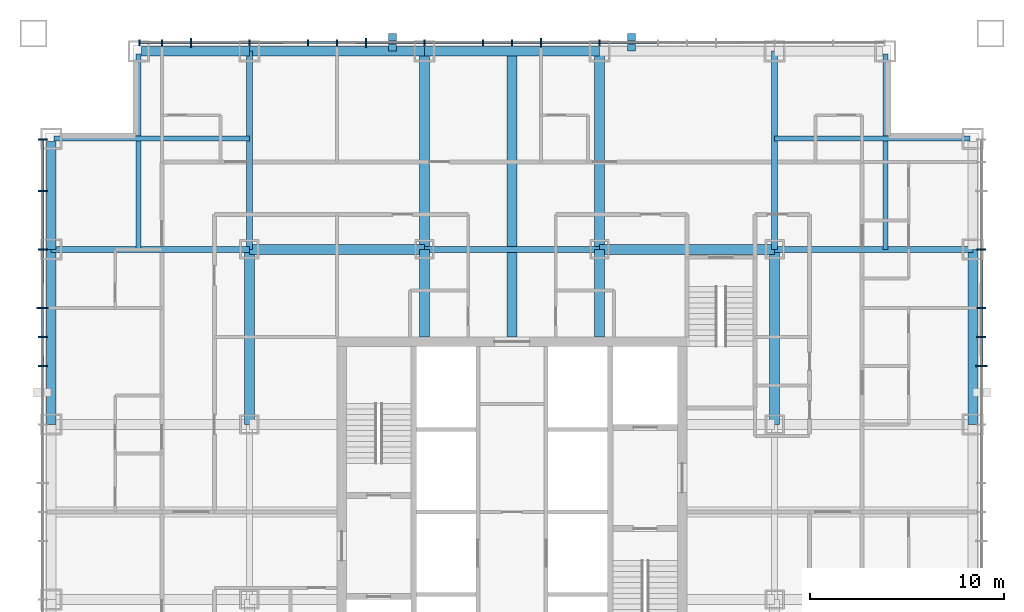
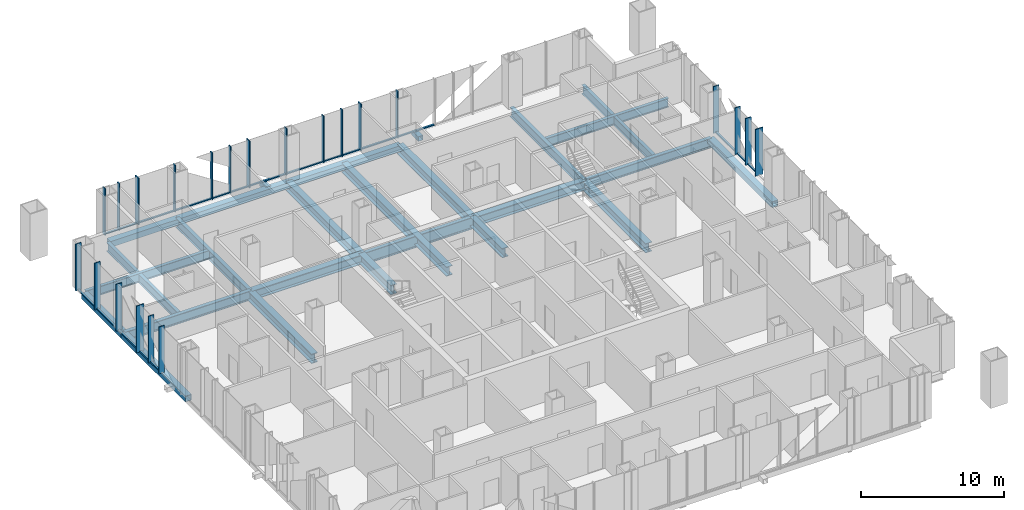
# One storey, part 5 of 13: 44 members, 24 beams, 3 elements without a shape of their own.
"""IFC4 building model written with IfcOpenShell, lengths in metres."""

from ifc_helpers import new_model, si_unit, direction, frame, origin, origin_2d, place, context, subcontext, project, spatial, rectangle, hollow_rectangle, i_section, extrude, material, layer, layer_set, material_profile, profile_set, type_object, element, aggregate, save


model = new_model("IFC4")

# Units and contexts
model_context = context("Model", 3, precision=1e-05, world=origin(), true_north=direction((0.0, 1.0)))
body_context = subcontext(model_context, "Body", "Model", "MODEL_VIEW")
ifc_project = project(units=[si_unit("LENGTHUNIT", "METRE"), si_unit("AREAUNIT", "SQUARE_METRE"), si_unit("VOLUMEUNIT", "CUBIC_METRE"), si_unit("PLANEANGLEUNIT", "RADIAN"), si_unit("MASSUNIT", "GRAM", prefix="KILO")], contexts=[model_context])

# Site, building, storey
site_placement = place(None, origin())
site = spatial("IfcSite", under=ifc_project, at=site_placement, CompositionType="ELEMENT")
building_placement = place(site_placement, origin())
building = spatial("IfcBuilding", under=site, at=building_placement, Name="Malebo Sky Hospital", CompositionType="ELEMENT")
storey_placement = place(building_placement, frame((0.0, 0.0, 160.0)))
storey = spatial("IfcBuildingStorey", under=building, at=storey_placement, Name="L38", CompositionType="ELEMENT", Elevation=160.0)

# Curtain wall, members
ifc_material_1 = material(Name="Anodised aluminium, natural silver", Category="aluminium")
ifc_layer_1 = layer(ifc_material_1, 0.25)
ifc_layer_set_1 = layer_set([ifc_layer_1], Name="WARD CURTAIN WALL NORTH AND SOUTH")
curtain_wall_type_1 = type_object("IfcCurtainWallType", Name="WARD CURTAIN WALL NORTH AND SOUTH", PredefinedType="NOTDEFINED", material=ifc_layer_set_1)
curtain_wall_1_placement = place(storey_placement, origin())
curtain_wall_1 = element("IfcCurtainWall", 1, at=curtain_wall_1_placement, inside=storey, type_object=curtain_wall_type_1, Name="NS curtain wall N", PredefinedType="NOTDEFINED")
ifc_material_profile_1 = material_profile(ifc_material_1, rectangle(XDim=0.14990234375, YDim=0.10009765625, at=origin_2d()), Name="ALUMINIUM TRANSOM 150x100")
ifc_profile_set_1 = profile_set([ifc_material_profile_1], Name="Anodised aluminium, natural silver")
member_type_1 = type_object("IfcMemberType", Name="ALUMINIUM TRANSOM 150x100", PredefinedType="USERDEFINED", material=ifc_profile_set_1)
member_1_placement = place(storey_placement, frame((40.875, 86.135009765625, 0.050048828125), z_axis=(1.0, 0.0, 0.0), x_axis=(0.0, 1.0, 0.0)))
member_1 = element("IfcMember", 2, at=member_1_placement, type_object=member_type_1, Name="Transom 1", ObjectType="TRANSOM", PredefinedType="USERDEFINED", context=body_context, shape_type="SweptSolid", body=[
    extrude(rectangle(XDim=0.14990234375, YDim=0.10009765625, at=origin_2d()), origin(), (0.0, 0.0, 1.0), 1.08740234375),
])
member_2_placement = place(storey_placement, frame((42.03759765625, 86.135009765625, 0.050048828125), z_axis=(1.0, 0.0, 0.0), x_axis=(0.0, 1.0, 0.0)))
member_2 = element("IfcMember", 3, at=member_2_placement, type_object=member_type_1, Name="Transom 2", ObjectType="TRANSOM", PredefinedType="USERDEFINED", context=body_context, shape_type="SweptSolid", body=[
    extrude(rectangle(XDim=0.14990234375, YDim=0.10009765625, at=origin_2d()), origin(), (0.0, 0.0, 1.0), 1.4248046875),
])
member_3_placement = place(storey_placement, frame((43.53759765625, 86.135009765625, 0.050048828125), z_axis=(1.0, 0.0, 0.0), x_axis=(0.0, 1.0, 0.0)))
member_3 = element("IfcMember", 4, at=member_3_placement, type_object=member_type_1, Name="Transom 3", ObjectType="TRANSOM", PredefinedType="USERDEFINED", context=body_context, shape_type="SweptSolid", body=[
    extrude(rectangle(XDim=0.14990234375, YDim=0.10009765625, at=origin_2d()), origin(), (0.0, 0.0, 1.0), 2.9248046875),
])
member_4_placement = place(storey_placement, frame((46.53759765625, 86.135009765625, 0.050048828125), z_axis=(1.0, 0.0, 0.0), x_axis=(0.0, 1.0, 0.0)))
member_4 = element("IfcMember", 5, at=member_4_placement, type_object=member_type_1, Name="Transom 4", ObjectType="TRANSOM", PredefinedType="USERDEFINED", context=body_context, shape_type="SweptSolid", body=[
    extrude(rectangle(XDim=0.14990234375, YDim=0.10009765625, at=origin_2d()), origin(), (0.0, 0.0, 1.0), 2.9248046875),
])
member_5_placement = place(storey_placement, frame((49.53759765625, 86.135009765625, 0.050048828125), z_axis=(1.0, 0.0, 0.0), x_axis=(0.0, 1.0, 0.0)))
member_5 = element("IfcMember", 6, at=member_5_placement, type_object=member_type_1, Name="Transom 5", ObjectType="TRANSOM", PredefinedType="USERDEFINED", context=body_context, shape_type="SweptSolid", body=[
    extrude(rectangle(XDim=0.14990234375, YDim=0.10009765625, at=origin_2d()), origin(), (0.0, 0.0, 1.0), 1.4248046875),
])
member_6_placement = place(storey_placement, frame((51.03759765625, 86.135009765625, 0.050048828125), z_axis=(1.0, 0.0, 0.0), x_axis=(0.0, 1.0, 0.0)))
member_6 = element("IfcMember", 7, at=member_6_placement, type_object=member_type_1, Name="Transom 6", ObjectType="TRANSOM", PredefinedType="USERDEFINED", context=body_context, shape_type="SweptSolid", body=[
    extrude(rectangle(XDim=0.14990234375, YDim=0.10009765625, at=origin_2d()), origin(), (0.0, 0.0, 1.0), 1.4248046875),
])
member_7_placement = place(storey_placement, frame((52.53759765625, 86.135009765625, 0.050048828125), z_axis=(1.0, 0.0, 0.0), x_axis=(0.0, 1.0, 0.0)))
member_7 = element("IfcMember", 8, at=member_7_placement, type_object=member_type_1, Name="Transom 7", ObjectType="TRANSOM", PredefinedType="USERDEFINED", context=body_context, shape_type="SweptSolid", body=[
    extrude(rectangle(XDim=0.14990234375, YDim=0.10009765625, at=origin_2d()), origin(), (0.0, 0.0, 1.0), 2.9248046875),
])
member_8_placement = place(storey_placement, frame((55.53759765625, 86.135009765625, 0.050048828125), z_axis=(1.0, 0.0, 0.0), x_axis=(0.0, 1.0, 0.0)))
member_8 = element("IfcMember", 9, at=member_8_placement, type_object=member_type_1, Name="Transom 8", ObjectType="TRANSOM", PredefinedType="USERDEFINED", context=body_context, shape_type="SweptSolid", body=[
    extrude(rectangle(XDim=0.14990234375, YDim=0.10009765625, at=origin_2d()), origin(), (0.0, 0.0, 1.0), 2.9248046875),
])
member_9_placement = place(storey_placement, frame((58.53759765625, 86.135009765625, 0.050048828125), z_axis=(1.0, 0.0, 0.0), x_axis=(0.0, 1.0, 0.0)))
member_9 = element("IfcMember", 10, at=member_9_placement, type_object=member_type_1, Name="Transom 9", ObjectType="TRANSOM", PredefinedType="USERDEFINED", context=body_context, shape_type="SweptSolid", body=[
    extrude(rectangle(XDim=0.14990234375, YDim=0.10009765625, at=origin_2d()), origin(), (0.0, 0.0, 1.0), 1.4248046875),
])
member_10_placement = place(storey_placement, frame((60.03759765625, 86.135009765625, 0.050048828125), z_axis=(1.0, 0.0, 0.0), x_axis=(0.0, 1.0, 0.0)))
member_10 = element("IfcMember", 11, at=member_10_placement, type_object=member_type_1, Name="Transom 10", ObjectType="TRANSOM", PredefinedType="USERDEFINED", context=body_context, shape_type="SweptSolid", body=[
    extrude(rectangle(XDim=0.14990234375, YDim=0.10009765625, at=origin_2d()), origin(), (0.0, 0.0, 1.0), 1.4248046875),
])
member_11_placement = place(storey_placement, frame((61.53759765625, 86.135009765625, 0.050048828125), z_axis=(1.0, 0.0, 0.0), x_axis=(0.0, 1.0, 0.0)))
member_11 = element("IfcMember", 12, at=member_11_placement, type_object=member_type_1, Name="Transom 11", ObjectType="TRANSOM", PredefinedType="USERDEFINED", context=body_context, shape_type="SweptSolid", body=[
    extrude(rectangle(XDim=0.14990234375, YDim=0.10009765625, at=origin_2d()), origin(), (0.0, 0.0, 1.0), 2.9248046875),
])
member_12_placement = place(storey_placement, frame((64.53759765625, 86.135009765625, 0.050048828125), z_axis=(1.0, 0.0, 0.0), x_axis=(0.0, 1.0, 0.0)))
member_12 = element("IfcMember", 13, at=member_12_placement, type_object=member_type_1, Name="Transom 12", ObjectType="TRANSOM", PredefinedType="USERDEFINED", context=body_context, shape_type="SweptSolid", body=[
    extrude(rectangle(XDim=0.14990234375, YDim=0.10009765625, at=origin_2d()), origin(), (0.0, 0.0, 1.0), 2.9248046875),
])

ifc_layer_2 = layer(ifc_material_1, 0.25)
ifc_layer_set_2 = layer_set([ifc_layer_2], Name="WARD CURTAIN WALL EAST AND WEST")
curtain_wall_type_2 = type_object("IfcCurtainWallType", Name="WARD CURTAIN WALL EAST AND WEST", PredefinedType="NOTDEFINED", material=ifc_layer_set_2)
curtain_wall_2_placement = place(storey_placement, origin())
curtain_wall_2 = element("IfcCurtainWall", 14, at=curtain_wall_2_placement, inside=storey, type_object=curtain_wall_type_2, Name="EW curtain wall W", PredefinedType="NOTDEFINED")
member_13_placement = place(storey_placement, frame((35.864990234375, 69.53759765625, 0.050048828125), z_axis=(0.0, 1.0, 0.0), x_axis=(-1.0, 0.0, 0.0)))
member_13 = element("IfcMember", 15, at=member_13_placement, type_object=member_type_1, Name="Transom 13", ObjectType="TRANSOM", PredefinedType="USERDEFINED", context=body_context, shape_type="SweptSolid", body=[
    extrude(rectangle(XDim=0.14990234375, YDim=0.10009765625, at=origin_2d()), origin(), (0.0, 0.0, 1.0), 1.4248046875),
])
member_14_placement = place(storey_placement, frame((35.864990234375, 71.03759765625, 0.050048828125), z_axis=(0.0, 1.0, 0.0), x_axis=(-1.0, 0.0, 0.0)))
member_14 = element("IfcMember", 16, at=member_14_placement, type_object=member_type_1, Name="Transom 14", ObjectType="TRANSOM", PredefinedType="USERDEFINED", context=body_context, shape_type="SweptSolid", body=[
    extrude(rectangle(XDim=0.14990234375, YDim=0.10009765625, at=origin_2d()), origin(), (0.0, 0.0, 1.0), 1.4248046875),
])
member_15_placement = place(storey_placement, frame((35.864990234375, 72.53759765625, 0.050048828125), z_axis=(0.0, 1.0, 0.0), x_axis=(-1.0, 0.0, 0.0)))
member_15 = element("IfcMember", 17, at=member_15_placement, type_object=member_type_1, Name="Transom 15", ObjectType="TRANSOM", PredefinedType="USERDEFINED", context=body_context, shape_type="SweptSolid", body=[
    extrude(rectangle(XDim=0.14990234375, YDim=0.10009765625, at=origin_2d()), origin(), (0.0, 0.0, 1.0), 2.9248046875),
])
member_16_placement = place(storey_placement, frame((35.864990234375, 75.53759765625, 0.050048828125), z_axis=(0.0, 1.0, 0.0), x_axis=(-1.0, 0.0, 0.0)))
member_16 = element("IfcMember", 18, at=member_16_placement, type_object=member_type_1, Name="Transom 16", ObjectType="TRANSOM", PredefinedType="USERDEFINED", context=body_context, shape_type="SweptSolid", body=[
    extrude(rectangle(XDim=0.14990234375, YDim=0.10009765625, at=origin_2d()), origin(), (0.0, 0.0, 1.0), 2.9248046875),
])
member_17_placement = place(storey_placement, frame((35.864990234375, 78.53759765625, 0.050048828125), z_axis=(0.0, 1.0, 0.0), x_axis=(-1.0, 0.0, 0.0)))
member_17 = element("IfcMember", 19, at=member_17_placement, type_object=member_type_1, Name="Transom 17", ObjectType="TRANSOM", PredefinedType="USERDEFINED", context=body_context, shape_type="SweptSolid", body=[
    extrude(rectangle(XDim=0.14990234375, YDim=0.10009765625, at=origin_2d()), origin(), (0.0, 0.0, 1.0), 2.58740234375),
])

curtain_wall_3_placement = place(storey_placement, origin())
curtain_wall_3 = element("IfcCurtainWall", 20, at=curtain_wall_3_placement, inside=storey, type_object=curtain_wall_type_2, Name="EW curtain wall E", PredefinedType="NOTDEFINED")
member_18_placement = place(storey_placement, frame((84.135009765625, 75.46240234375, 0.050048828125), z_axis=(0.0, -1.0, 0.0), x_axis=(1.0, 0.0, 0.0)))
member_18 = element("IfcMember", 21, at=member_18_placement, type_object=member_type_1, Name="Transom 4", ObjectType="TRANSOM", PredefinedType="USERDEFINED", context=body_context, shape_type="SweptSolid", body=[
    extrude(rectangle(XDim=0.14990234375, YDim=0.10009765625, at=origin_2d()), origin(), (0.0, 0.0, 1.0), 2.9248046875),
])
member_19_placement = place(storey_placement, frame((84.135009765625, 72.46240234375, 0.050048828125), z_axis=(0.0, -1.0, 0.0), x_axis=(1.0, 0.0, 0.0)))
member_19 = element("IfcMember", 22, at=member_19_placement, type_object=member_type_1, Name="Transom 5", ObjectType="TRANSOM", PredefinedType="USERDEFINED", context=body_context, shape_type="SweptSolid", body=[
    extrude(rectangle(XDim=0.14990234375, YDim=0.10009765625, at=origin_2d()), origin(), (0.0, 0.0, 1.0), 1.4248046875),
])
member_20_placement = place(storey_placement, frame((84.135009765625, 70.96240234375, 0.050048828125), z_axis=(0.0, -1.0, 0.0), x_axis=(1.0, 0.0, 0.0)))
member_20 = element("IfcMember", 23, at=member_20_placement, type_object=member_type_1, Name="Transom 6", ObjectType="TRANSOM", PredefinedType="USERDEFINED", context=body_context, shape_type="SweptSolid", body=[
    extrude(rectangle(XDim=0.14990234375, YDim=0.10009765625, at=origin_2d()), origin(), (0.0, 0.0, 1.0), 1.4248046875),
])

# Members
ifc_material_2 = material(Name="Steel S355", Category="steel")
ifc_material_profile_2 = material_profile(ifc_material_2, hollow_rectangle(XDim=0.39990234375, YDim=0.39990234375, WallThickness=0.02001953125, at=origin_2d()), Name="SHS 400x20")
ifc_profile_set_2 = profile_set([ifc_material_profile_2], Name="Steel S355")
member_type_2 = type_object("IfcMemberType", Name="BRACE STRUT SHS 400x20", PredefinedType="STRUT", material=ifc_profile_set_2)
for number, where, z_axis, x_axis, name in (
    (24, (53.85009765625, 86.60009765625, -0.39990234375), (0.0, -1.0, 0.0), (1.0, 0.0, 0.0), "Brace strut BN1 L38"),
    (25, (66.14990234375, 86.60009765625, -0.39990234375), (0.0, -1.0, 0.0), (1.0, 0.0, 0.0), "Brace strut BN2 L38"),
):
    element("IfcMember", number, at=place(storey_placement, frame(where, z_axis=z_axis, x_axis=x_axis)), inside=storey, type_object=member_type_2, Name=name, PredefinedType="STRUT", context=body_context, shape_type="SweptSolid", body=[
        extrude(hollow_rectangle(XDim=0.39990234375, YDim=0.39990234375, WallThickness=0.02001953125, at=origin_2d()), origin(), (0.0, 0.0, 1.0), 0.900146484375),
    ])

# Member
ifc_material_profile_3 = material_profile(ifc_material_1, rectangle(XDim=0.074951171875, YDim=0.300048828125, at=origin_2d()), Name="CW1 ALUMINIUM FIN MULLION 75x300")
ifc_profile_set_3 = profile_set([ifc_material_profile_3], Name="Anodised aluminium, natural silver")
member_type_3 = type_object("IfcMemberType", Name="CW1 ALUMINIUM FIN MULLION 75x300", PredefinedType="MULLION", material=ifc_profile_set_3)
member_21_placement = place(storey_placement, frame((40.83740234375, 86.135009765625, 0.0), z_axis=(0.0, 0.0, 1.0), x_axis=(1.0, 0.0, 0.0)))
member_21 = element("IfcMember", 26, at=member_21_placement, type_object=member_type_3, Name="Fin mullion 1", PredefinedType="MULLION", context=body_context, shape_type="SweptSolid", body=[
    extrude(rectangle(XDim=0.074951171875, YDim=0.300048828125, at=origin_2d()), origin(), (0.0, 0.0, 1.0), 4.0),
])

member_22_placement = place(storey_placement, frame((42.0, 86.135009765625, 0.0), z_axis=(0.0, 0.0, 1.0), x_axis=(1.0, 0.0, 0.0)))
member_22 = element("IfcMember", 27, at=member_22_placement, type_object=member_type_3, Name="Fin mullion 2", PredefinedType="MULLION", context=body_context, shape_type="SweptSolid", body=[
    extrude(rectangle(XDim=0.074951171875, YDim=0.300048828125, at=origin_2d()), origin(), (0.0, 0.0, 1.0), 4.0),
])

member_23_placement = place(storey_placement, frame((46.5, 86.135009765625, 0.0), z_axis=(0.0, 0.0, 1.0), x_axis=(1.0, 0.0, 0.0)))
member_23 = element("IfcMember", 28, at=member_23_placement, type_object=member_type_3, Name="Fin mullion 4", PredefinedType="MULLION", context=body_context, shape_type="SweptSolid", body=[
    extrude(rectangle(XDim=0.074951171875, YDim=0.300048828125, at=origin_2d()), origin(), (0.0, 0.0, 1.0), 4.0),
])

member_24_placement = place(storey_placement, frame((49.5, 86.135009765625, 0.0), z_axis=(0.0, 0.0, 1.0), x_axis=(1.0, 0.0, 0.0)))
member_24 = element("IfcMember", 29, at=member_24_placement, type_object=member_type_3, Name="Fin mullion 5", PredefinedType="MULLION", context=body_context, shape_type="SweptSolid", body=[
    extrude(rectangle(XDim=0.074951171875, YDim=0.300048828125, at=origin_2d()), origin(), (0.0, 0.0, 1.0), 4.0),
])

member_25_placement = place(storey_placement, frame((51.0, 86.135009765625, 0.0), z_axis=(0.0, 0.0, 1.0), x_axis=(1.0, 0.0, 0.0)))
member_25 = element("IfcMember", 30, at=member_25_placement, type_object=member_type_3, Name="Fin mullion 6", PredefinedType="MULLION", context=body_context, shape_type="SweptSolid", body=[
    extrude(rectangle(XDim=0.074951171875, YDim=0.300048828125, at=origin_2d()), origin(), (0.0, 0.0, 1.0), 4.0),
])

member_26_placement = place(storey_placement, frame((55.5, 86.135009765625, 0.0), z_axis=(0.0, 0.0, 1.0), x_axis=(1.0, 0.0, 0.0)))
member_26 = element("IfcMember", 31, at=member_26_placement, type_object=member_type_3, Name="Fin mullion 8", PredefinedType="MULLION", context=body_context, shape_type="SweptSolid", body=[
    extrude(rectangle(XDim=0.074951171875, YDim=0.300048828125, at=origin_2d()), origin(), (0.0, 0.0, 1.0), 4.0),
])

member_27_placement = place(storey_placement, frame((58.5, 86.135009765625, 0.0), z_axis=(0.0, 0.0, 1.0), x_axis=(1.0, 0.0, 0.0)))
member_27 = element("IfcMember", 32, at=member_27_placement, type_object=member_type_3, Name="Fin mullion 9", PredefinedType="MULLION", context=body_context, shape_type="SweptSolid", body=[
    extrude(rectangle(XDim=0.074951171875, YDim=0.300048828125, at=origin_2d()), origin(), (0.0, 0.0, 1.0), 4.0),
])

member_28_placement = place(storey_placement, frame((60.0, 86.135009765625, 0.0), z_axis=(0.0, 0.0, 1.0), x_axis=(1.0, 0.0, 0.0)))
member_28 = element("IfcMember", 33, at=member_28_placement, type_object=member_type_3, Name="Fin mullion 10", PredefinedType="MULLION", context=body_context, shape_type="SweptSolid", body=[
    extrude(rectangle(XDim=0.074951171875, YDim=0.300048828125, at=origin_2d()), origin(), (0.0, 0.0, 1.0), 4.0),
])

member_29_placement = place(storey_placement, frame((64.5, 86.135009765625, 0.0), z_axis=(0.0, 0.0, 1.0), x_axis=(1.0, 0.0, 0.0)))
member_29 = element("IfcMember", 34, at=member_29_placement, type_object=member_type_3, Name="Fin mullion 12", PredefinedType="MULLION", context=body_context, shape_type="SweptSolid", body=[
    extrude(rectangle(XDim=0.074951171875, YDim=0.300048828125, at=origin_2d()), origin(), (0.0, 0.0, 1.0), 4.0),
])

ifc_material_profile_4 = material_profile(ifc_material_1, rectangle(XDim=0.074951171875, YDim=0.449951171875, at=origin_2d()), Name="CW1 ALUMINIUM FIN MULLION 75x450")
ifc_profile_set_4 = profile_set([ifc_material_profile_4], Name="Anodised aluminium, natural silver")
member_type_4 = type_object("IfcMemberType", Name="CW1 ALUMINIUM FIN MULLION 75x450", PredefinedType="MULLION", material=ifc_profile_set_4)
member_30_placement = place(storey_placement, frame((43.5, 86.135009765625, 0.0), z_axis=(0.0, 0.0, 1.0), x_axis=(1.0, 0.0, 0.0)))
member_30 = element("IfcMember", 35, at=member_30_placement, type_object=member_type_4, Name="Fin mullion 3", PredefinedType="MULLION", context=body_context, shape_type="SweptSolid", body=[
    extrude(rectangle(XDim=0.074951171875, YDim=0.449951171875, at=origin_2d()), origin(), (0.0, 0.0, 1.0), 4.0),
])

member_31_placement = place(storey_placement, frame((52.5, 86.135009765625, 0.0), z_axis=(0.0, 0.0, 1.0), x_axis=(1.0, 0.0, 0.0)))
member_31 = element("IfcMember", 36, at=member_31_placement, type_object=member_type_4, Name="Fin mullion 7", PredefinedType="MULLION", context=body_context, shape_type="SweptSolid", body=[
    extrude(rectangle(XDim=0.074951171875, YDim=0.449951171875, at=origin_2d()), origin(), (0.0, 0.0, 1.0), 4.0),
])

member_32_placement = place(storey_placement, frame((61.5, 86.135009765625, 0.0), z_axis=(0.0, 0.0, 1.0), x_axis=(1.0, 0.0, 0.0)))
member_32 = element("IfcMember", 37, at=member_32_placement, type_object=member_type_4, Name="Fin mullion 11", PredefinedType="MULLION", context=body_context, shape_type="SweptSolid", body=[
    extrude(rectangle(XDim=0.074951171875, YDim=0.449951171875, at=origin_2d()), origin(), (0.0, 0.0, 1.0), 4.0),
])

aggregate(curtain_wall_1, [member_21, member_22, member_30, member_23, member_24, member_25, member_31, member_26, member_27, member_28, member_32, member_29, member_1, member_2, member_3, member_4, member_5, member_6, member_7, member_8, member_9, member_10, member_11, member_12])

ifc_material_profile_5 = material_profile(ifc_material_1, rectangle(XDim=0.074951171875, YDim=0.449951171875, at=origin_2d()), Name="CW2 ALUMINIUM FIN MULLION 75x450")
ifc_profile_set_5 = profile_set([ifc_material_profile_5], Name="Anodised aluminium, natural silver")
member_type_5 = type_object("IfcMemberType", Name="CW2 ALUMINIUM FIN MULLION 75x450", PredefinedType="MULLION", material=ifc_profile_set_5)
member_33_placement = place(storey_placement, frame((35.864990234375, 69.5, 0.0), z_axis=(0.0, 0.0, 1.0), x_axis=(0.0, 1.0, 0.0)))
member_33 = element("IfcMember", 38, at=member_33_placement, type_object=member_type_5, Name="Fin mullion 13", PredefinedType="MULLION", context=body_context, shape_type="SweptSolid", body=[
    extrude(rectangle(XDim=0.074951171875, YDim=0.449951171875, at=origin_2d()), origin(), (0.0, 0.0, 1.0), 4.0),
])

member_34_placement = place(storey_placement, frame((35.864990234375, 71.0, 0.0), z_axis=(0.0, 0.0, 1.0), x_axis=(0.0, 1.0, 0.0)))
member_34 = element("IfcMember", 39, at=member_34_placement, type_object=member_type_5, Name="Fin mullion 14", PredefinedType="MULLION", context=body_context, shape_type="SweptSolid", body=[
    extrude(rectangle(XDim=0.074951171875, YDim=0.449951171875, at=origin_2d()), origin(), (0.0, 0.0, 1.0), 4.0),
])

member_35_placement = place(storey_placement, frame((35.864990234375, 75.5, 0.0), z_axis=(0.0, 0.0, 1.0), x_axis=(0.0, 1.0, 0.0)))
member_35 = element("IfcMember", 40, at=member_35_placement, type_object=member_type_5, Name="Fin mullion 16", PredefinedType="MULLION", context=body_context, shape_type="SweptSolid", body=[
    extrude(rectangle(XDim=0.074951171875, YDim=0.449951171875, at=origin_2d()), origin(), (0.0, 0.0, 1.0), 4.0),
])

member_36_placement = place(storey_placement, frame((35.864990234375, 78.5, 0.0), z_axis=(0.0, 0.0, 1.0), x_axis=(0.0, 1.0, 0.0)))
member_36 = element("IfcMember", 41, at=member_36_placement, type_object=member_type_5, Name="Fin mullion 17", PredefinedType="MULLION", context=body_context, shape_type="SweptSolid", body=[
    extrude(rectangle(XDim=0.074951171875, YDim=0.449951171875, at=origin_2d()), origin(), (0.0, 0.0, 1.0), 4.0),
])

member_37_placement = place(storey_placement, frame((35.864990234375, 81.16259765625, 0.0), z_axis=(0.0, 0.0, 1.0), x_axis=(0.0, 1.0, 0.0)))
member_37 = element("IfcMember", 42, at=member_37_placement, type_object=member_type_5, Name="Fin mullion 18", PredefinedType="MULLION", context=body_context, shape_type="SweptSolid", body=[
    extrude(rectangle(XDim=0.074951171875, YDim=0.449951171875, at=origin_2d()), origin(), (0.0, 0.0, 1.0), 4.0),
])

member_38_placement = place(storey_placement, frame((84.135009765625, 75.5, 0.0), z_axis=(0.0, 0.0, 1.0), x_axis=(0.0, -1.0, 0.0)))
member_38 = element("IfcMember", 43, at=member_38_placement, type_object=member_type_5, Name="Fin mullion 4", PredefinedType="MULLION", context=body_context, shape_type="SweptSolid", body=[
    extrude(rectangle(XDim=0.074951171875, YDim=0.449951171875, at=origin_2d()), origin(), (0.0, 0.0, 1.0), 4.0),
])

member_39_placement = place(storey_placement, frame((84.135009765625, 72.5, 0.0), z_axis=(0.0, 0.0, 1.0), x_axis=(0.0, -1.0, 0.0)))
member_39 = element("IfcMember", 44, at=member_39_placement, type_object=member_type_5, Name="Fin mullion 5", PredefinedType="MULLION", context=body_context, shape_type="SweptSolid", body=[
    extrude(rectangle(XDim=0.074951171875, YDim=0.449951171875, at=origin_2d()), origin(), (0.0, 0.0, 1.0), 4.0),
])

member_40_placement = place(storey_placement, frame((84.135009765625, 71.0, 0.0), z_axis=(0.0, 0.0, 1.0), x_axis=(0.0, -1.0, 0.0)))
member_40 = element("IfcMember", 45, at=member_40_placement, type_object=member_type_5, Name="Fin mullion 6", PredefinedType="MULLION", context=body_context, shape_type="SweptSolid", body=[
    extrude(rectangle(XDim=0.074951171875, YDim=0.449951171875, at=origin_2d()), origin(), (0.0, 0.0, 1.0), 4.0),
])

ifc_material_profile_6 = material_profile(ifc_material_1, rectangle(XDim=0.074951171875, YDim=0.60009765625, at=origin_2d()), Name="CW2 ALUMINIUM FIN MULLION 75x600")
ifc_profile_set_6 = profile_set([ifc_material_profile_6], Name="Anodised aluminium, natural silver")
member_type_6 = type_object("IfcMemberType", Name="CW2 ALUMINIUM FIN MULLION 75x600", PredefinedType="MULLION", material=ifc_profile_set_6)
member_41_placement = place(storey_placement, frame((35.864990234375, 72.5, 0.0), z_axis=(0.0, 0.0, 1.0), x_axis=(0.0, 1.0, 0.0)))
member_41 = element("IfcMember", 46, at=member_41_placement, type_object=member_type_6, Name="Fin mullion 15", PredefinedType="MULLION", context=body_context, shape_type="SweptSolid", body=[
    extrude(rectangle(XDim=0.074951171875, YDim=0.60009765625, at=origin_2d()), origin(), (0.0, 0.0, 1.0), 4.0),
])

aggregate(curtain_wall_2, [member_33, member_34, member_41, member_35, member_36, member_37, member_13, member_14, member_15, member_16, member_17])

member_42_placement = place(storey_placement, frame((84.135009765625, 69.5, 0.0), z_axis=(0.0, 0.0, 1.0), x_axis=(0.0, -1.0, 0.0)))
member_42 = element("IfcMember", 47, at=member_42_placement, type_object=member_type_6, Name="Fin mullion 7", PredefinedType="MULLION", context=body_context, shape_type="SweptSolid", body=[
    extrude(rectangle(XDim=0.074951171875, YDim=0.60009765625, at=origin_2d()), origin(), (0.0, 0.0, 1.0), 4.0),
])

aggregate(curtain_wall_3, [member_38, member_39, member_40, member_42, member_18, member_19, member_20])

# Beams
ifc_material_3 = material(Name="Steel S460", Category="steel")
ifc_material_profile_7 = material_profile(ifc_material_3, hollow_rectangle(XDim=0.5, YDim=0.5, WallThickness=0.030029296875, at=origin_2d()), Name="BOX 500x500x30")
ifc_profile_set_7 = profile_set([ifc_material_profile_7], Name="Steel S460")
beam_type_1 = type_object("IfcBeamType", Name="EDGE BEAM BOX 500x500x30", PredefinedType="BEAM", material=ifc_profile_set_7)
beam_1_placement = place(storey_placement, frame((36.300048828125, 66.5, -0.5), z_axis=(0.0, 1.0, 0.0), x_axis=(-1.0, 0.0, 0.0)))
element("IfcBeam", 48, at=beam_1_placement, inside=storey, type_object=beam_type_1, Name="Beam 003 L38", PredefinedType="BEAM", context=body_context, shape_type="SweptSolid", body=[
    extrude(hollow_rectangle(XDim=0.5, YDim=0.5, WallThickness=0.030029296875, at=origin_2d()), origin(), (0.0, 0.0, 1.0), 9.0),
])
beam_2_placement = place(storey_placement, frame((36.300048828125, 75.5, -0.5), z_axis=(0.0, 1.0, 0.0), x_axis=(-1.0, 0.0, 0.0)))
element("IfcBeam", 49, at=beam_2_placement, inside=storey, type_object=beam_type_1, Name="Beam 004 L38", PredefinedType="BEAM", context=body_context, shape_type="SweptSolid", body=[
    extrude(hollow_rectangle(XDim=0.5, YDim=0.5, WallThickness=0.030029296875, at=origin_2d()), origin(), (0.0, 0.0, 1.0), 5.550048828125),
])
beam_3_placement = place(storey_placement, frame((83.699951171875, 66.5, -0.5), z_axis=(0.0, 1.0, 0.0), x_axis=(-1.0, 0.0, 0.0)))
element("IfcBeam", 50, at=beam_3_placement, inside=storey, type_object=beam_type_1, Name="Beam 032 L38", PredefinedType="BEAM", context=body_context, shape_type="SweptSolid", body=[
    extrude(hollow_rectangle(XDim=0.5, YDim=0.5, WallThickness=0.030029296875, at=origin_2d()), origin(), (0.0, 0.0, 1.0), 9.0),
])
beam_4_placement = place(storey_placement, frame((40.949951171875, 85.699951171875, -0.5), z_axis=(1.0, 0.0, 0.0), x_axis=(0.0, 1.0, 0.0)))
element("IfcBeam", 51, at=beam_4_placement, inside=storey, type_object=beam_type_1, Name="Beam 063 L38", PredefinedType="BEAM", context=body_context, shape_type="SweptSolid", body=[
    extrude(hollow_rectangle(XDim=0.5, YDim=0.5, WallThickness=0.030029296875, at=origin_2d()), origin(), (0.0, 0.0, 1.0), 5.550048828125),
])
for number, where, z_axis, x_axis, name in (
    (52, (46.5, 85.699951171875, -0.5), (1.0, 0.0, 0.0), (0.0, 1.0, 0.0), "Beam 064 L38"),
    (53, (55.5, 85.699951171875, -0.5), (1.0, 0.0, 0.0), (0.0, 1.0, 0.0), "Beam 065 L38"),
):
    element("IfcBeam", number, at=place(storey_placement, frame(where, z_axis=z_axis, x_axis=x_axis)), inside=storey, type_object=beam_type_1, Name=name, PredefinedType="BEAM", context=body_context, shape_type="SweptSolid", body=[
        extrude(hollow_rectangle(XDim=0.5, YDim=0.5, WallThickness=0.030029296875, at=origin_2d()), origin(), (0.0, 0.0, 1.0), 9.0),
    ])
ifc_material_profile_8 = material_profile(ifc_material_2, i_section(OverallWidth=0.262939453125, OverallDepth=0.7529296875, WebThickness=0.011474609375, FlangeThickness=0.01708984375, FilletRadius=0.01708984375, at=origin_2d()), Name="IPE 750x137")
ifc_profile_set_8 = profile_set([ifc_material_profile_8], Name="Steel S355")
beam_type_2 = type_object("IfcBeamType", Name="FLOOR BEAM IPE 750x137", PredefinedType="BEAM", material=ifc_profile_set_8)
for number, where, z_axis, x_axis, name in (
    (54, (40.800048828125, 75.5, -0.62646484375), (0.0, 1.0, 0.0), (-1.0, 0.0, 0.0), "Beam 006 L38"),
    (55, (79.199951171875, 75.5, -0.62646484375), (0.0, 1.0, 0.0), (-1.0, 0.0, 0.0), "Beam 028 L38"),
    (56, (36.449951171875, 81.199951171875, -0.62646484375), (1.0, 0.0, 0.0), (0.0, 1.0, 0.0), "Beam 061 L38"),
    (57, (73.5, 81.199951171875, -0.62646484375), (1.0, 0.0, 0.0), (0.0, 1.0, 0.0), "Beam 062 L38"),
):
    element("IfcBeam", number, at=place(storey_placement, frame(where, z_axis=z_axis, x_axis=x_axis)), inside=storey, type_object=beam_type_2, Name=name, PredefinedType="BEAM", context=body_context, shape_type="SweptSolid", body=[
        extrude(i_section(OverallWidth=0.262939453125, OverallDepth=0.7529296875, WebThickness=0.011474609375, FlangeThickness=0.01708984375, FilletRadius=0.01708984375, at=origin_2d()), origin(), (0.0, 0.0, 1.0), 10.050048828125),
    ])
ifc_material_profile_9 = material_profile(ifc_material_2, i_section(OverallWidth=0.5, OverallDepth=0.800048828125, WebThickness=0.030029296875, FlangeThickness=0.050048828125, at=origin_2d()), Name="PG 800x500x30x50")
ifc_profile_set_9 = profile_set([ifc_material_profile_9], Name="Steel S355")
beam_type_3 = type_object("IfcBeamType", Name="FLOOR BEAM PG 800x500x30x50", PredefinedType="BEAM", material=ifc_profile_set_9)
beam_5_placement = place(storey_placement, frame((46.5, 66.5, -0.64990234375), z_axis=(0.0, 1.0, 0.0), x_axis=(-1.0, 0.0, 0.0)))
element("IfcBeam", 58, at=beam_5_placement, inside=storey, type_object=beam_type_3, Name="Beam 010 L38", PredefinedType="BEAM", context=body_context, shape_type="SweptSolid", body=[
    extrude(i_section(OverallWidth=0.5, OverallDepth=0.800048828125, WebThickness=0.030029296875, FlangeThickness=0.050048828125, at=origin_2d()), origin(), (0.0, 0.0, 1.0), 9.0),
])
beam_6_placement = place(storey_placement, frame((55.5, 71.0, -0.64990234375), z_axis=(0.0, 1.0, 0.0), x_axis=(-1.0, 0.0, 0.0)))
element("IfcBeam", 59, at=beam_6_placement, inside=storey, type_object=beam_type_3, Name="Beam 014 L38", PredefinedType="BEAM", context=body_context, shape_type="SweptSolid", body=[
    extrude(i_section(OverallWidth=0.5, OverallDepth=0.800048828125, WebThickness=0.030029296875, FlangeThickness=0.050048828125, at=origin_2d()), origin(), (0.0, 0.0, 1.0), 4.5),
])
beam_7_placement = place(storey_placement, frame((55.5, 75.5, -0.64990234375), z_axis=(0.0, 1.0, 0.0), x_axis=(-1.0, 0.0, 0.0)))
element("IfcBeam", 60, at=beam_7_placement, inside=storey, type_object=beam_type_3, Name="Beam 015 L38", PredefinedType="BEAM", context=body_context, shape_type="SweptSolid", body=[
    extrude(i_section(OverallWidth=0.5, OverallDepth=0.800048828125, WebThickness=0.030029296875, FlangeThickness=0.050048828125, at=origin_2d()), origin(), (0.0, 0.0, 1.0), 10.199951171875),
])
beam_8_placement = place(storey_placement, frame((60.0, 71.0, -0.64990234375), z_axis=(0.0, 1.0, 0.0), x_axis=(-1.0, 0.0, 0.0)))
element("IfcBeam", 61, at=beam_8_placement, inside=storey, type_object=beam_type_3, Name="Beam 017 L38", PredefinedType="BEAM", context=body_context, shape_type="SweptSolid", body=[
    extrude(i_section(OverallWidth=0.5, OverallDepth=0.800048828125, WebThickness=0.030029296875, FlangeThickness=0.050048828125, at=origin_2d()), origin(), (0.0, 0.0, 1.0), 14.699951171875),
])
beam_9_placement = place(storey_placement, frame((64.5, 71.0, -0.64990234375), z_axis=(0.0, 1.0, 0.0), x_axis=(-1.0, 0.0, 0.0)))
element("IfcBeam", 62, at=beam_9_placement, inside=storey, type_object=beam_type_3, Name="Beam 020 L38", PredefinedType="BEAM", context=body_context, shape_type="SweptSolid", body=[
    extrude(i_section(OverallWidth=0.5, OverallDepth=0.800048828125, WebThickness=0.030029296875, FlangeThickness=0.050048828125, at=origin_2d()), origin(), (0.0, 0.0, 1.0), 4.5),
])
beam_10_placement = place(storey_placement, frame((64.5, 75.5, -0.64990234375), z_axis=(0.0, 1.0, 0.0), x_axis=(-1.0, 0.0, 0.0)))
element("IfcBeam", 63, at=beam_10_placement, inside=storey, type_object=beam_type_3, Name="Beam 021 L38", PredefinedType="BEAM", context=body_context, shape_type="SweptSolid", body=[
    extrude(i_section(OverallWidth=0.5, OverallDepth=0.800048828125, WebThickness=0.030029296875, FlangeThickness=0.050048828125, at=origin_2d()), origin(), (0.0, 0.0, 1.0), 10.199951171875),
])
for number, where, z_axis, x_axis, name in (
    (64, (73.5, 66.5, -0.64990234375), (0.0, 1.0, 0.0), (-1.0, 0.0, 0.0), "Beam 025 L38"),
    (65, (46.5, 75.5, -0.64990234375), (1.0, 0.0, 0.0), (0.0, 1.0, 0.0), "Beam 057 L38"),
    (66, (64.5, 75.5, -0.64990234375), (1.0, 0.0, 0.0), (0.0, 1.0, 0.0), "Beam 059 L38"),
):
    element("IfcBeam", number, at=place(storey_placement, frame(where, z_axis=z_axis, x_axis=x_axis)), inside=storey, type_object=beam_type_3, Name=name, PredefinedType="BEAM", context=body_context, shape_type="SweptSolid", body=[
        extrude(i_section(OverallWidth=0.5, OverallDepth=0.800048828125, WebThickness=0.030029296875, FlangeThickness=0.050048828125, at=origin_2d()), origin(), (0.0, 0.0, 1.0), 9.0),
    ])
ifc_material_profile_10 = material_profile(ifc_material_2, i_section(OverallWidth=0.300048828125, OverallDepth=0.800048828125, WebThickness=0.017578125, FlangeThickness=0.032958984375, FilletRadius=0.030029296875, at=origin_2d()), Name="HEB 800")
ifc_profile_set_10 = profile_set([ifc_material_profile_10], Name="Steel S355")
beam_type_4 = type_object("IfcBeamType", Name="FLOOR GIRDER HEB 800", PredefinedType="BEAM", material=ifc_profile_set_10)
for number, where, z_axis, x_axis, name in (
    (67, (46.5, 75.5, -0.64990234375), (0.0, 1.0, 0.0), (-1.0, 0.0, 0.0), "Beam 011 L38"),
    (68, (73.5, 75.5, -0.64990234375), (0.0, 1.0, 0.0), (-1.0, 0.0, 0.0), "Beam 026 L38"),
    (69, (36.300048828125, 75.5, -0.64990234375), (1.0, 0.0, 0.0), (0.0, 1.0, 0.0), "Beam 056 L38"),
    (70, (73.5, 75.5, -0.64990234375), (1.0, 0.0, 0.0), (0.0, 1.0, 0.0), "Beam 060 L38"),
):
    element("IfcBeam", number, at=place(storey_placement, frame(where, z_axis=z_axis, x_axis=x_axis)), inside=storey, type_object=beam_type_4, Name=name, PredefinedType="BEAM", context=body_context, shape_type="SweptSolid", body=[
        extrude(i_section(OverallWidth=0.300048828125, OverallDepth=0.800048828125, WebThickness=0.017578125, FlangeThickness=0.032958984375, FilletRadius=0.030029296875, at=origin_2d()), origin(), (0.0, 0.0, 1.0), 10.199951171875),
    ])
ifc_material_profile_11 = material_profile(ifc_material_2, i_section(OverallWidth=0.300048828125, OverallDepth=1.0, WebThickness=0.01904296875, FlangeThickness=0.035888671875, FilletRadius=0.030029296875, at=origin_2d()), Name="HEB 1000")
ifc_profile_set_11 = profile_set([ifc_material_profile_11], Name="Steel S355")
beam_type_5 = type_object("IfcBeamType", Name="RING GIRDER HEB 1000", PredefinedType="BEAM", material=ifc_profile_set_11)
beam_11_placement = place(storey_placement, frame((55.5, 75.5, -0.75), z_axis=(1.0, 0.0, 0.0), x_axis=(0.0, 1.0, 0.0)))
element("IfcBeam", 71, at=beam_11_placement, inside=storey, type_object=beam_type_5, Name="Beam 058 L38", PredefinedType="BEAM", context=body_context, shape_type="SweptSolid", body=[
    extrude(i_section(OverallWidth=0.300048828125, OverallDepth=1.0, WebThickness=0.01904296875, FlangeThickness=0.035888671875, FilletRadius=0.030029296875, at=origin_2d()), origin(), (0.0, 0.0, 1.0), 9.0),
])

save(model, "model.ifc")
